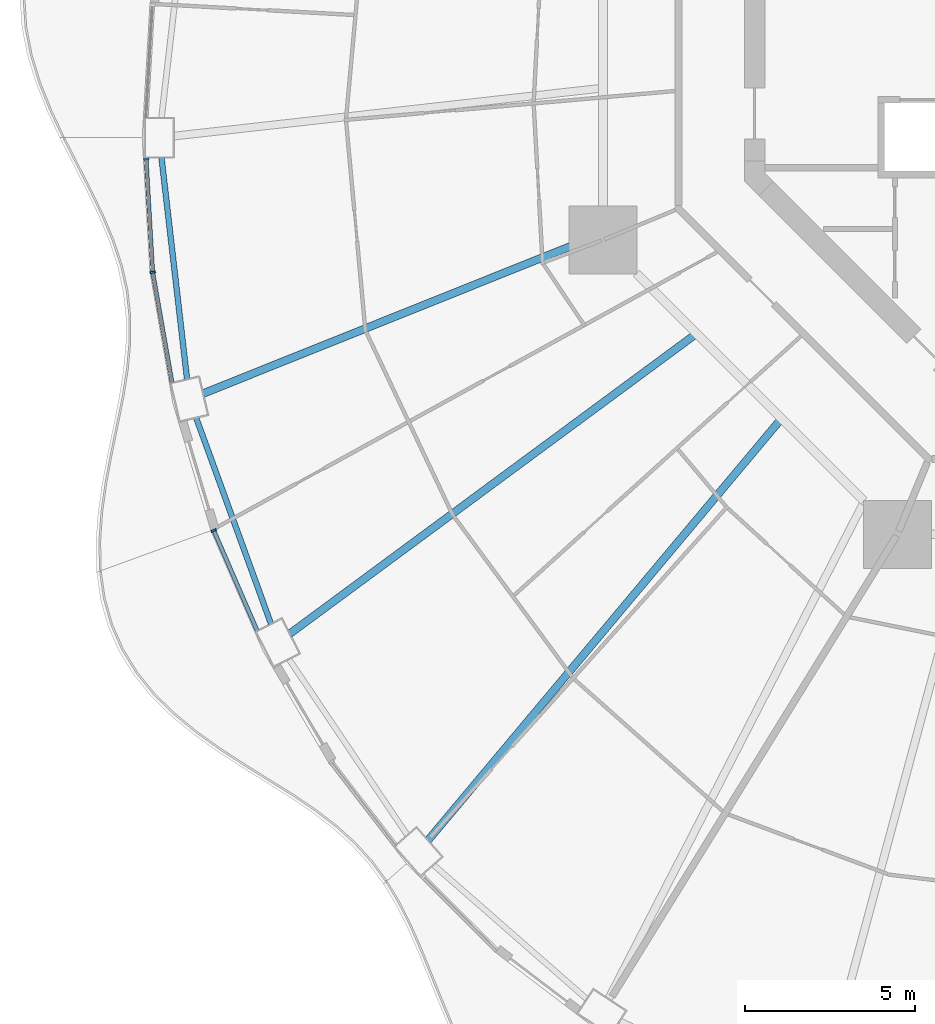
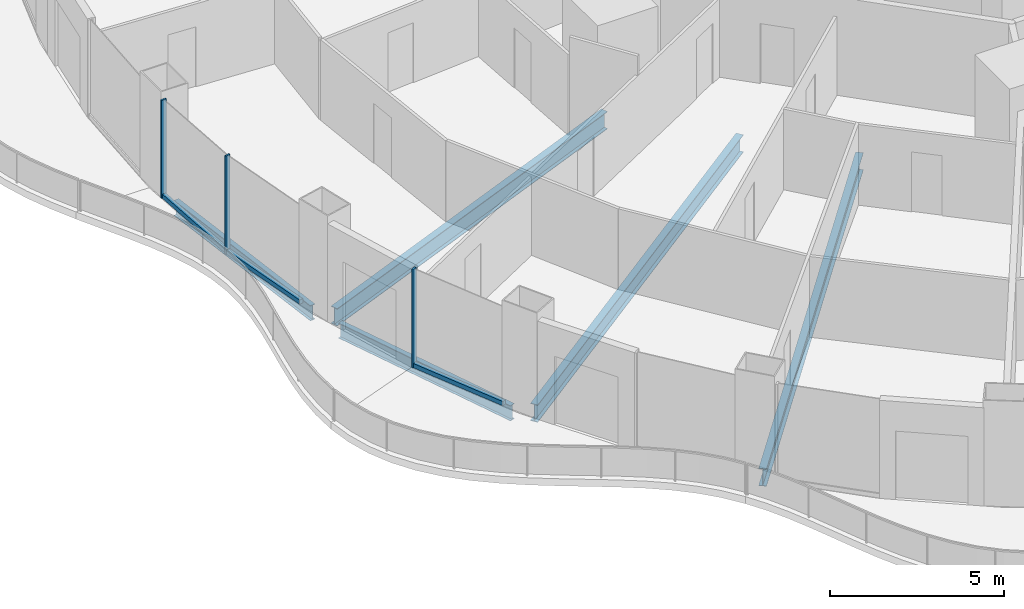
# One storey, part 3 of 20: 6 members, 5 beams, 3 elements without a shape of their own.
"""IFC4 building model written with IfcOpenShell, lengths in metres."""

from ifc_helpers import new_model, si_unit, direction, frame, origin, origin_2d, place, context, subcontext, project, spatial, rectangle, i_section, extrude, material, layer, layer_set, material_profile, profile_set, type_object, element, aggregate, save


model = new_model("IFC4")

# Units and contexts
model_context = context("Model", 3, precision=1e-05, world=origin(), true_north=direction((0.0, 1.0)))
body_context = subcontext(model_context, "Body", "Model", "MODEL_VIEW")
ifc_project = project(units=[si_unit("LENGTHUNIT", "METRE"), si_unit("AREAUNIT", "SQUARE_METRE"), si_unit("VOLUMEUNIT", "CUBIC_METRE"), si_unit("PLANEANGLEUNIT", "RADIAN"), si_unit("MASSUNIT", "GRAM", prefix="KILO")], contexts=[model_context])

# Site, building, storey
site_placement = place(None, origin())
site = spatial("IfcSite", under=ifc_project, at=site_placement, CompositionType="ELEMENT")
building_placement = place(site_placement, origin())
building = spatial("IfcBuilding", under=site, at=building_placement, Name="Nagisa Residences", CompositionType="ELEMENT")
storey_placement = place(building_placement, frame((0.0, 0.0, 130.699951171875)))
storey = spatial("IfcBuildingStorey", under=building, at=storey_placement, Name="L32", CompositionType="ELEMENT", Elevation=130.699951171875)

# Curtain wall, member
ifc_material_1 = material(Name="Concrete-coloured aluminium curtain wall system", Category="concrete")
ifc_layer = layer(ifc_material_1, 0.159912109375)
ifc_layer_set = layer_set([ifc_layer], Name="CW1 CURTAIN WALL")
curtain_wall_type = type_object("IfcCurtainWallType", Name="CW1 CURTAIN WALL", PredefinedType="NOTDEFINED", material=ifc_layer_set)
curtain_wall_1_placement = place(storey_placement, origin())
curtain_wall_1 = element("IfcCurtainWall", 1, at=curtain_wall_1_placement, inside=storey, type_object=curtain_wall_type, Name="cw:CW1:L32:24", PredefinedType="NOTDEFINED")
ifc_material_2 = material(Name="Concrete-coloured aluminium", Category="concrete")
ifc_material_profile_1 = material_profile(ifc_material_2, rectangle(XDim=0.159912109375, YDim=0.06005859375, at=origin_2d()), Name="CW1 MULLION 160x60")
ifc_profile_set_1 = profile_set([ifc_material_profile_1], Name="Concrete-coloured aluminium")
member_type_1 = type_object("IfcMemberType", Name="CW1 MULLION 160x60", PredefinedType="MULLION", material=ifc_profile_set_1)
member_1_placement = place(storey_placement, frame((-28.218994140625, -3.741943359375, 0.0), z_axis=(0.0, 0.0, 1.0), x_axis=(0.998345305184, 0.057503492216, 0.0)))
member_1 = element("IfcMember", 2, at=member_1_placement, type_object=member_type_1, Name="CW1 mullion", PredefinedType="MULLION", context=body_context, shape_type="SweptSolid", body=[
    extrude(rectangle(XDim=0.159912109375, YDim=0.06005859375, at=origin_2d()), origin(), (0.0, 0.0, 1.0), 3.43994140625),
])

curtain_wall_2_placement = place(storey_placement, origin())
curtain_wall_2 = element("IfcCurtainWall", 3, at=curtain_wall_2_placement, inside=storey, type_object=curtain_wall_type, Name="cw:CW1:L32:25", PredefinedType="NOTDEFINED")
member_2_placement = place(storey_placement, frame((-28.02392578125, -7.07470703125, 0.0), z_axis=(0.0, 0.0, 1.0), x_axis=(0.985063604377, 0.172190868898, 0.0)))
member_2 = element("IfcMember", 4, at=member_2_placement, type_object=member_type_1, Name="CW1 mullion", PredefinedType="MULLION", context=body_context, shape_type="SweptSolid", body=[
    extrude(rectangle(XDim=0.159912109375, YDim=0.06005859375, at=origin_2d()), origin(), (0.0, 0.0, 1.0), 3.43994140625),
])

curtain_wall_3_placement = place(storey_placement, origin())
curtain_wall_3 = element("IfcCurtainWall", 5, at=curtain_wall_3_placement, inside=storey, type_object=curtain_wall_type, Name="cw:CW1:L32:27", PredefinedType="NOTDEFINED")
member_3_placement = place(storey_placement, frame((-26.229736328125, -14.66845703125, 0.0), z_axis=(0.0, 0.0, 1.0), x_axis=(0.917543276295, 0.397635934147, 0.0)))
member_3 = element("IfcMember", 6, at=member_3_placement, type_object=member_type_1, Name="CW1 mullion", PredefinedType="MULLION", context=body_context, shape_type="SweptSolid", body=[
    extrude(rectangle(XDim=0.159912109375, YDim=0.06005859375, at=origin_2d()), origin(), (0.0, 0.0, 1.0), 3.43994140625),
])

# Member
ifc_material_3 = material(Name="Concrete-coloured aluminium", Category="concrete")
ifc_material_profile_2 = material_profile(ifc_material_3, rectangle(XDim=0.1201171875, YDim=0.14990234375, at=origin_2d()), Name="CW1 TRANSOM 120x150")
ifc_profile_set_2 = profile_set([ifc_material_profile_2], Name="Concrete-coloured aluminium")
member_type_2 = type_object("IfcMemberType", Name="CW1 TRANSOM 120x150", PredefinedType="USERDEFINED", material=ifc_profile_set_2)
member_4_placement = place(storey_placement, frame((-28.220703125, -3.712158203125, 0.074951171875), z_axis=(0.057537829427, -0.998343326809, 0.0), x_axis=(0.998343326809, 0.057537829427, 0.0)))
member_4 = element("IfcMember", 7, at=member_4_placement, type_object=member_type_2, Name="CW1 transom", ObjectType="TRANSOM", PredefinedType="USERDEFINED", context=body_context, shape_type="SweptSolid", body=[
    extrude(rectangle(XDim=0.1201171875, YDim=0.14990234375, at=origin_2d()), origin(), (0.0, 0.0, 1.0), 3.347900390625),
])

aggregate(curtain_wall_1, [member_1, member_4])

member_5_placement = place(storey_placement, frame((-28.029296875, -7.045166015625, 0.074951171875), z_axis=(0.172234609255, -0.985055957484, 0.0), x_axis=(0.985055957484, 0.172234609255, 0.0)))
member_5 = element("IfcMember", 8, at=member_5_placement, type_object=member_type_2, Name="CW1 transom", ObjectType="TRANSOM", PredefinedType="USERDEFINED", context=body_context, shape_type="SweptSolid", body=[
    extrude(rectangle(XDim=0.1201171875, YDim=0.14990234375, at=origin_2d()), origin(), (0.0, 0.0, 1.0), 3.33251953125),
])

aggregate(curtain_wall_2, [member_2, member_5])

member_6_placement = place(storey_placement, frame((-26.24169921875, -14.64111328125, 0.074951171875), z_axis=(0.397666272939, -0.917530127771, 0.0), x_axis=(0.917530127771, 0.397666272939, 0.0)))
member_6 = element("IfcMember", 9, at=member_6_placement, type_object=member_type_2, Name="CW1 transom", ObjectType="TRANSOM", PredefinedType="USERDEFINED", context=body_context, shape_type="SweptSolid", body=[
    extrude(rectangle(XDim=0.1201171875, YDim=0.14990234375, at=origin_2d()), origin(), (0.0, 0.0, 1.0), 3.260498046875),
])

aggregate(curtain_wall_3, [member_3, member_6])

# Beams
ifc_material_4 = material(Name="Steel ASTM A572 Gr 50", Category="steel")
ifc_material_profile_3 = material_profile(ifc_material_4, i_section(OverallWidth=0.166015625, OverallDepth=0.534912109375, WebThickness=0.01025390625, FlangeThickness=0.0166015625, at=origin_2d()), Name="W530x85")
ifc_profile_set_3 = profile_set([ifc_material_profile_3], Name="Steel ASTM A572 Gr 50")
beam_type_1 = type_object("IfcBeamType", Name="Perimeter ring beam W530x85", PredefinedType="BEAM", material=ifc_profile_set_3)
beam_1_placement = place(storey_placement, frame((-27.76806640625, -3.69775390625, -0.52734375), z_axis=(0.114660786771, -0.993404703017, 0.0), x_axis=(0.993404703017, 0.114660786771, 0.0)))
element("IfcBeam", 10, at=beam_1_placement, inside=storey, type_object=beam_type_1, Name="beam:L32:pb13", PredefinedType="BEAM", context=body_context, shape_type="SweptSolid", body=[
    extrude(i_section(OverallWidth=0.166015625, OverallDepth=0.534912109375, WebThickness=0.01025390625, FlangeThickness=0.0166015625, at=origin_2d()), origin(), (0.0, 0.0, 1.0), 6.568603515625),
])
beam_2_placement = place(storey_placement, frame((-26.74853515625, -11.352294921875, -0.52734375), z_axis=(0.341366238276, -0.939930365168, 0.0), x_axis=(0.939930365168, 0.341366238276, 0.0)))
element("IfcBeam", 11, at=beam_2_placement, inside=storey, type_object=beam_type_1, Name="beam:L32:pb14", PredefinedType="BEAM", context=body_context, shape_type="SweptSolid", body=[
    extrude(i_section(OverallWidth=0.166015625, OverallDepth=0.534912109375, WebThickness=0.01025390625, FlangeThickness=0.0166015625, at=origin_2d()), origin(), (0.0, 0.0, 1.0), 6.450927734375),
])
ifc_material_5 = material(Name="Steel ASTM A572 Gr 50", Category="steel")
ifc_material_profile_4 = material_profile(ifc_material_5, i_section(OverallWidth=0.22900390625, OverallDepth=0.612060546875, WebThickness=0.011962890625, FlangeThickness=0.01953125, at=origin_2d()), Name="W610x125")
ifc_profile_set_4 = profile_set([ifc_material_profile_4], Name="Steel ASTM A572 Gr 50")
beam_type_2 = type_object("IfcBeamType", Name="Radial beam W610x125", PredefinedType="BEAM", material=ifc_profile_set_4)
beam_3_placement = place(storey_placement, frame((-26.5439453125, -10.641357421875, -0.56591796875), z_axis=(0.928186733156, 0.372114751648, 0.0), x_axis=(-0.372114751648, 0.928186733156, 0.0)))
element("IfcBeam", 12, at=beam_3_placement, inside=storey, type_object=beam_type_2, Name="beam:L32:rb14", PredefinedType="BEAM", context=body_context, shape_type="SweptSolid", body=[
    extrude(i_section(OverallWidth=0.22900390625, OverallDepth=0.612060546875, WebThickness=0.011962890625, FlangeThickness=0.01953125, at=origin_2d()), origin(), (0.0, 0.0, 1.0), 12.554931640625),
])
beam_4_placement = place(storey_placement, frame((-23.995849609375, -17.7060546875, -0.56591796875), z_axis=(0.804660796299, 0.59373479172, 0.0), x_axis=(-0.59373479172, 0.804660796299, 0.0)))
element("IfcBeam", 13, at=beam_4_placement, inside=storey, type_object=beam_type_2, Name="beam:L32:rb15", PredefinedType="BEAM", context=body_context, shape_type="SweptSolid", body=[
    extrude(i_section(OverallWidth=0.22900390625, OverallDepth=0.612060546875, WebThickness=0.011962890625, FlangeThickness=0.01953125, at=origin_2d()), origin(), (0.0, 0.0, 1.0), 14.763427734375),
])
beam_5_placement = place(storey_placement, frame((-19.929931640625, -23.78173828125, -0.56591796875), z_axis=(0.642300860107, 0.766452611128, 0.0), x_axis=(-0.766452611128, 0.642300860107, 0.0)))
element("IfcBeam", 14, at=beam_5_placement, inside=storey, type_object=beam_type_2, Name="beam:L32:rb16", PredefinedType="BEAM", context=body_context, shape_type="SweptSolid", body=[
    extrude(i_section(OverallWidth=0.22900390625, OverallDepth=0.612060546875, WebThickness=0.011962890625, FlangeThickness=0.01953125, at=origin_2d()), origin(), (0.0, 0.0, 1.0), 16.081787109375),
])

save(model, "model.ifc")
